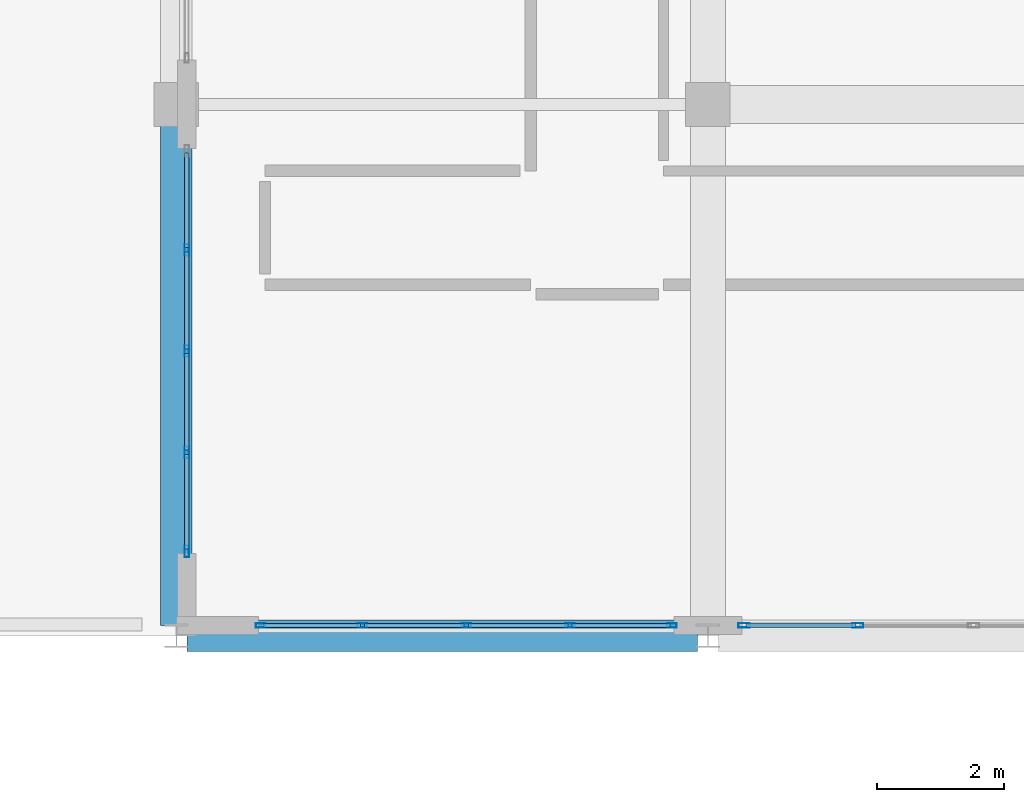
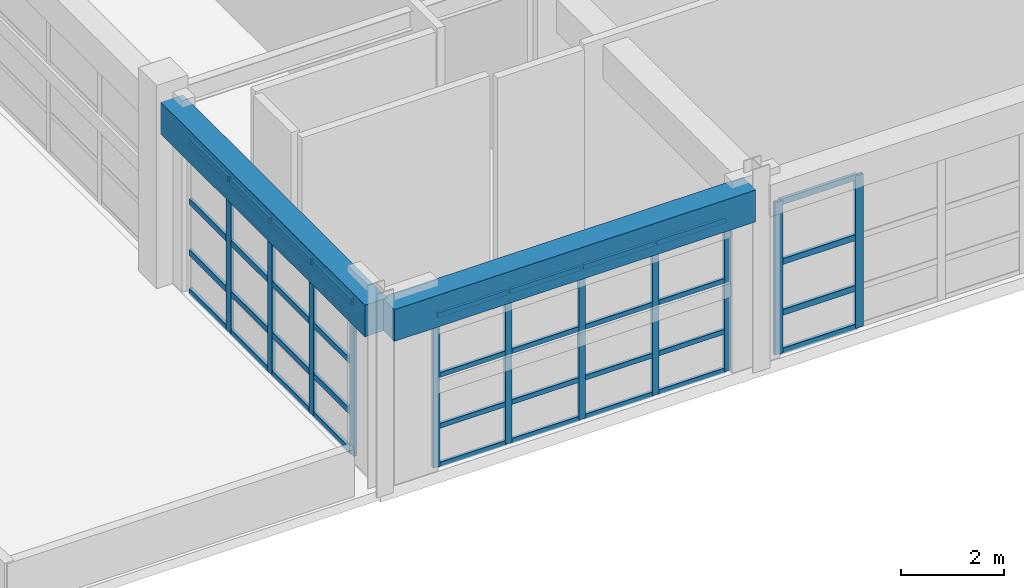
# One storey, part 31 of 123: 47 members, 2 beams, 3 elements without a shape of their own.
"""IFC4 building model written with IfcOpenShell, lengths in metres."""

from ifc_helpers import new_model, si_unit, direction, frame, origin, origin_2d, place, context, subcontext, project, spatial, rectangle, hollow_rectangle, extrude, material, layer, layer_set, material_profile, profile_set, type_object, element, aggregate, save


model = new_model("IFC4")

# Units and contexts
model_context = context("Model", 3, precision=1e-05, world=origin(), true_north=direction((0.0, 1.0)))
body_context = subcontext(model_context, "Body", "Model", "MODEL_VIEW")
ifc_project = project(units=[si_unit("LENGTHUNIT", "METRE"), si_unit("AREAUNIT", "SQUARE_METRE"), si_unit("VOLUMEUNIT", "CUBIC_METRE"), si_unit("PLANEANGLEUNIT", "RADIAN"), si_unit("MASSUNIT", "GRAM", prefix="KILO")], contexts=[model_context])

# Site, building, storey
site_placement = place(None, origin())
site = spatial("IfcSite", under=ifc_project, at=site_placement, CompositionType="ELEMENT")
building_placement = place(site_placement, origin())
building = spatial("IfcBuilding", under=site, at=building_placement, Name="Quendrovan Civic Courthouse", CompositionType="ELEMENT")
storey_placement = place(building_placement, frame((0.0, 0.0, 5.39990234375)))
storey = spatial("IfcBuildingStorey", under=building, at=storey_placement, Name="L02", CompositionType="ELEMENT", Elevation=5.39990234375)

# Beams
ifc_material_1 = material(Name="Concrete C40/50", Category="concrete")
ifc_material_profile_1 = material_profile(ifc_material_1, rectangle(XDim=0.5, YDim=0.75, at=origin_2d()), Name="RC-BM-500x750")
ifc_profile_set_1 = profile_set([ifc_material_profile_1], Name="Concrete C40/50")
beam_type = type_object("IfcBeamType", Name="BM-RC750", PredefinedType="SPANDREL", material=ifc_profile_set_1)
beam_1_placement = place(storey_placement, frame((33.76708984375, 64.800048828125, 3.985107421875), z_axis=(1.0, 0.0, 0.0), x_axis=(0.0, 1.0, 0.0)))
element("IfcBeam", 1, at=beam_1_placement, inside=storey, type_object=beam_type, Name="L02 Girder X0530", PredefinedType="SPANDREL", context=body_context, shape_type="SweptSolid", body=[
    extrude(rectangle(XDim=0.5, YDim=0.75, at=origin_2d()), origin(), (0.0, 0.0, 1.0), 8.06591796875),
])
beam_2_placement = place(storey_placement, frame((33.60009765625, 64.966064453125, 3.985107421875), z_axis=(0.0, 1.0, 0.0), x_axis=(-1.0, 0.0, 0.0)))
element("IfcBeam", 2, at=beam_2_placement, inside=storey, type_object=beam_type, Name="L02 Girder Y0637", PredefinedType="SPANDREL", context=body_context, shape_type="SweptSolid", body=[
    extrude(rectangle(XDim=0.5, YDim=0.75, at=origin_2d()), origin(), (0.0, 0.0, 1.0), 7.904052734375),
])

# Curtain wall, members
ifc_material_2 = material(Name="Bronze anodised aluminium and low-E glass", Category="aluminium")
ifc_layer_1 = layer(ifc_material_2, 0.179931640625, Name="Bronze anodised aluminium and low-E glass")
ifc_layer_set_1 = layer_set([ifc_layer_1], Name="Bronze anodised aluminium and low-E glass")
curtain_wall_type_1 = type_object("IfcCurtainWallType", Name="CW-U73x36", PredefinedType="USERDEFINED", material=ifc_layer_set_1)
curtain_wall_1_placement = place(storey_placement, origin())
curtain_wall_1 = element("IfcCurtainWall", 3, at=curtain_wall_1_placement, inside=storey, type_object=curtain_wall_type_1, Name="L02 Unitised Hurricane Curtain Wall CW-112", ObjectType="UNITISED CURTAIN WALL", PredefinedType="USERDEFINED")
ifc_material_3 = material(Name="Bronze anodised aluminium", Category="aluminium")
ifc_material_profile_2 = material_profile(ifc_material_3, hollow_rectangle(XDim=0.070068359375, YDim=0.179931640625, WallThickness=0.00390625, at=origin_2d()), Name="CW-MULL-70x180")
ifc_profile_set_2 = profile_set([ifc_material_profile_2], Name="Bronze anodised aluminium")
member_type_1 = type_object("IfcMemberType", Name="CW-MULL-A", PredefinedType="MULLION", material=ifc_profile_set_2)
member_1_placement = place(storey_placement, frame((44.368408203125, 64.965087890625, 0.0), z_axis=(0.0, 0.0, 1.0), x_axis=(0.0, -1.0, 0.0)))
member_1 = element("IfcMember", 4, at=member_1_placement, type_object=member_type_1, Name="CW-112 mullion 4", PredefinedType="MULLION", context=body_context, shape_type="SweptSolid", body=[
    extrude(hollow_rectangle(XDim=0.070068359375, YDim=0.179931640625, WallThickness=0.00390625, at=origin_2d()), origin(), (0.0, 0.0, 1.0), 3.60009765625),
])
member_2_placement = place(storey_placement, frame((42.572021484375, 64.965087890625, 0.0), z_axis=(0.0, 0.0, 1.0), x_axis=(0.0, -1.0, 0.0)))
member_2 = element("IfcMember", 5, at=member_2_placement, type_object=member_type_1, Name="CW-112 mullion 5", PredefinedType="MULLION", context=body_context, shape_type="SweptSolid", body=[
    extrude(hollow_rectangle(XDim=0.070068359375, YDim=0.179931640625, WallThickness=0.00390625, at=origin_2d()), origin(), (0.0, 0.0, 1.0), 3.60009765625),
])

ifc_layer_2 = layer(ifc_material_2, 0.179931640625, Name="Bronze anodised aluminium and low-E glass")
ifc_layer_set_2 = layer_set([ifc_layer_2], Name="Bronze anodised aluminium and low-E glass")
curtain_wall_type_2 = type_object("IfcCurtainWallType", Name="CW-U64x36", PredefinedType="USERDEFINED", material=ifc_layer_set_2)
curtain_wall_2_placement = place(storey_placement, origin())
curtain_wall_2 = element("IfcCurtainWall", 6, at=curtain_wall_2_placement, inside=storey, type_object=curtain_wall_type_2, Name="L02 Unitised Hurricane Curtain Wall CW-114", ObjectType="UNITISED CURTAIN WALL", PredefinedType="USERDEFINED")
member_3_placement = place(storey_placement, frame((33.764892578125, 66.135009765625, 0.0), z_axis=(0.0, 0.0, 1.0), x_axis=(-1.0, 0.0, 0.0)))
member_3 = element("IfcMember", 7, at=member_3_placement, type_object=member_type_1, Name="CW-114 mullion 1", PredefinedType="MULLION", context=body_context, shape_type="SweptSolid", body=[
    extrude(hollow_rectangle(XDim=0.070068359375, YDim=0.179931640625, WallThickness=0.00390625, at=origin_2d()), origin(), (0.0, 0.0, 1.0), 3.60009765625),
])
member_4_placement = place(storey_placement, frame((33.764892578125, 67.699951171875, 0.0), z_axis=(0.0, 0.0, 1.0), x_axis=(-1.0, 0.0, 0.0)))
member_4 = element("IfcMember", 8, at=member_4_placement, type_object=member_type_1, Name="CW-114 mullion 2", PredefinedType="MULLION", context=body_context, shape_type="SweptSolid", body=[
    extrude(hollow_rectangle(XDim=0.070068359375, YDim=0.179931640625, WallThickness=0.00390625, at=origin_2d()), origin(), (0.0, 0.0, 1.0), 3.60009765625),
])
member_5_placement = place(storey_placement, frame((33.764892578125, 69.300048828125, 0.0), z_axis=(0.0, 0.0, 1.0), x_axis=(-1.0, 0.0, 0.0)))
member_5 = element("IfcMember", 9, at=member_5_placement, type_object=member_type_1, Name="CW-114 mullion 3", PredefinedType="MULLION", context=body_context, shape_type="SweptSolid", body=[
    extrude(hollow_rectangle(XDim=0.070068359375, YDim=0.179931640625, WallThickness=0.00390625, at=origin_2d()), origin(), (0.0, 0.0, 1.0), 3.60009765625),
])
member_6_placement = place(storey_placement, frame((33.764892578125, 70.89990234375, 0.0), z_axis=(0.0, 0.0, 1.0), x_axis=(-1.0, 0.0, 0.0)))
member_6 = element("IfcMember", 10, at=member_6_placement, type_object=member_type_1, Name="CW-114 mullion 4", PredefinedType="MULLION", context=body_context, shape_type="SweptSolid", body=[
    extrude(hollow_rectangle(XDim=0.070068359375, YDim=0.179931640625, WallThickness=0.00390625, at=origin_2d()), origin(), (0.0, 0.0, 1.0), 3.60009765625),
])

ifc_layer_3 = layer(ifc_material_2, 0.179931640625, Name="Bronze anodised aluminium and low-E glass")
ifc_layer_set_3 = layer_set([ifc_layer_3], Name="Bronze anodised aluminium and low-E glass")
curtain_wall_type_3 = type_object("IfcCurtainWallType", Name="CW-U66x36", PredefinedType="USERDEFINED", material=ifc_layer_set_3)
curtain_wall_3_placement = place(storey_placement, origin())
curtain_wall_3 = element("IfcCurtainWall", 11, at=curtain_wall_3_placement, inside=storey, type_object=curtain_wall_type_3, Name="L02 Unitised Hurricane Curtain Wall CW-113", ObjectType="UNITISED CURTAIN WALL", PredefinedType="USERDEFINED")
ifc_material_profile_3 = material_profile(ifc_material_3, hollow_rectangle(XDim=0.06494140625, YDim=0.14990234375, WallThickness=0.00390625, at=origin_2d()), Name="CW-MULL-65x150")
ifc_profile_set_3 = profile_set([ifc_material_profile_3], Name="Bronze anodised aluminium")
member_type_2 = type_object("IfcMemberType", Name="CW-MULL-B", PredefinedType="MULLION", material=ifc_profile_set_3)
member_7_placement = place(storey_placement, frame((41.430419921875, 64.965087890625, 0.0), z_axis=(0.0, 0.0, 1.0), x_axis=(0.0, -1.0, 0.0)))
member_7 = element("IfcMember", 12, at=member_7_placement, type_object=member_type_2, Name="CW-113 mullion 1", PredefinedType="MULLION", context=body_context, shape_type="SweptSolid", body=[
    extrude(hollow_rectangle(XDim=0.06494140625, YDim=0.14990234375, WallThickness=0.00390625, at=origin_2d()), origin(), (0.0, 0.0, 1.0), 3.60009765625),
])
member_8_placement = place(storey_placement, frame((39.822265625, 64.965087890625, 0.0), z_axis=(0.0, 0.0, 1.0), x_axis=(0.0, -1.0, 0.0)))
member_8 = element("IfcMember", 13, at=member_8_placement, type_object=member_type_2, Name="CW-113 mullion 2", PredefinedType="MULLION", context=body_context, shape_type="SweptSolid", body=[
    extrude(hollow_rectangle(XDim=0.06494140625, YDim=0.14990234375, WallThickness=0.00390625, at=origin_2d()), origin(), (0.0, 0.0, 1.0), 3.60009765625),
])
member_9_placement = place(storey_placement, frame((38.181396484375, 64.965087890625, 0.0), z_axis=(0.0, 0.0, 1.0), x_axis=(0.0, -1.0, 0.0)))
member_9 = element("IfcMember", 14, at=member_9_placement, type_object=member_type_2, Name="CW-113 mullion 3", PredefinedType="MULLION", context=body_context, shape_type="SweptSolid", body=[
    extrude(hollow_rectangle(XDim=0.06494140625, YDim=0.14990234375, WallThickness=0.00390625, at=origin_2d()), origin(), (0.0, 0.0, 1.0), 3.60009765625),
])
member_10_placement = place(storey_placement, frame((36.540771484375, 64.965087890625, 0.0), z_axis=(0.0, 0.0, 1.0), x_axis=(0.0, -1.0, 0.0)))
member_10 = element("IfcMember", 15, at=member_10_placement, type_object=member_type_2, Name="CW-113 mullion 4", PredefinedType="MULLION", context=body_context, shape_type="SweptSolid", body=[
    extrude(hollow_rectangle(XDim=0.06494140625, YDim=0.14990234375, WallThickness=0.00390625, at=origin_2d()), origin(), (0.0, 0.0, 1.0), 3.60009765625),
])
member_11_placement = place(storey_placement, frame((34.9326171875, 64.965087890625, 0.0), z_axis=(0.0, 0.0, 1.0), x_axis=(0.0, -1.0, 0.0)))
member_11 = element("IfcMember", 16, at=member_11_placement, type_object=member_type_2, Name="CW-113 mullion 5", PredefinedType="MULLION", context=body_context, shape_type="SweptSolid", body=[
    extrude(hollow_rectangle(XDim=0.06494140625, YDim=0.14990234375, WallThickness=0.00390625, at=origin_2d()), origin(), (0.0, 0.0, 1.0), 3.60009765625),
])

# Member
ifc_material_profile_4 = material_profile(ifc_material_3, hollow_rectangle(XDim=0.070068359375, YDim=0.139892578125, WallThickness=0.00390625, at=origin_2d()), Name="CW-TRAN-70x140")
ifc_profile_set_4 = profile_set([ifc_material_profile_4], Name="Bronze anodised aluminium")
member_type_3 = type_object("IfcMemberType", Name="CW-TRAN-A", PredefinedType="USERDEFINED", material=ifc_profile_set_4)
member_12_placement = place(storey_placement, frame((44.33349609375, 64.965087890625, 0.03515625), z_axis=(-1.0, 0.0, 0.0), x_axis=(0.0, -1.0, 0.0)))
member_12 = element("IfcMember", 17, at=member_12_placement, type_object=member_type_3, Name="CW-112 transom 4.1", ObjectType="TRANSOM", PredefinedType="USERDEFINED", context=body_context, shape_type="SweptSolid", body=[
    extrude(hollow_rectangle(XDim=0.070068359375, YDim=0.139892578125, WallThickness=0.00390625, at=origin_2d()), origin(), (0.0, 0.0, 1.0), 1.7265625),
])

member_13_placement = place(storey_placement, frame((44.33349609375, 64.965087890625, 0.9501953125), z_axis=(-1.0, 0.0, 0.0), x_axis=(0.0, -1.0, 0.0)))
member_13 = element("IfcMember", 18, at=member_13_placement, type_object=member_type_3, Name="CW-112 transom 4.2", ObjectType="TRANSOM", PredefinedType="USERDEFINED", context=body_context, shape_type="SweptSolid", body=[
    extrude(hollow_rectangle(XDim=0.070068359375, YDim=0.139892578125, WallThickness=0.00390625, at=origin_2d()), origin(), (0.0, 0.0, 1.0), 1.7265625),
])

member_14_placement = place(storey_placement, frame((44.33349609375, 64.965087890625, 2.150146484375), z_axis=(-1.0, 0.0, 0.0), x_axis=(0.0, -1.0, 0.0)))
member_14 = element("IfcMember", 19, at=member_14_placement, type_object=member_type_3, Name="CW-112 transom 4.3", ObjectType="TRANSOM", PredefinedType="USERDEFINED", context=body_context, shape_type="SweptSolid", body=[
    extrude(hollow_rectangle(XDim=0.070068359375, YDim=0.139892578125, WallThickness=0.00390625, at=origin_2d()), origin(), (0.0, 0.0, 1.0), 1.7265625),
])

member_15_placement = place(storey_placement, frame((44.33349609375, 64.965087890625, 3.565185546875), z_axis=(-1.0, 0.0, 0.0), x_axis=(0.0, -1.0, 0.0)))
member_15 = element("IfcMember", 20, at=member_15_placement, type_object=member_type_3, Name="CW-112 transom 4.4", ObjectType="TRANSOM", PredefinedType="USERDEFINED", context=body_context, shape_type="SweptSolid", body=[
    extrude(hollow_rectangle(XDim=0.070068359375, YDim=0.139892578125, WallThickness=0.00390625, at=origin_2d()), origin(), (0.0, 0.0, 1.0), 1.7265625),
])

aggregate(curtain_wall_1, [member_1, member_2, member_12, member_13, member_14, member_15])

member_16_placement = place(storey_placement, frame((33.764892578125, 66.169921875, 0.03515625), z_axis=(0.0, 1.0, 0.0), x_axis=(-1.0, 0.0, 0.0)))
member_16 = element("IfcMember", 21, at=member_16_placement, type_object=member_type_3, Name="CW-114 transom 1.1", ObjectType="TRANSOM", PredefinedType="USERDEFINED", context=body_context, shape_type="SweptSolid", body=[
    extrude(hollow_rectangle(XDim=0.070068359375, YDim=0.139892578125, WallThickness=0.00390625, at=origin_2d()), origin(), (0.0, 0.0, 1.0), 1.4951171875),
])

member_17_placement = place(storey_placement, frame((33.764892578125, 66.169921875, 0.9501953125), z_axis=(0.0, 1.0, 0.0), x_axis=(-1.0, 0.0, 0.0)))
member_17 = element("IfcMember", 22, at=member_17_placement, type_object=member_type_3, Name="CW-114 transom 1.2", ObjectType="TRANSOM", PredefinedType="USERDEFINED", context=body_context, shape_type="SweptSolid", body=[
    extrude(hollow_rectangle(XDim=0.070068359375, YDim=0.139892578125, WallThickness=0.00390625, at=origin_2d()), origin(), (0.0, 0.0, 1.0), 1.4951171875),
])

member_18_placement = place(storey_placement, frame((33.764892578125, 66.169921875, 2.150146484375), z_axis=(0.0, 1.0, 0.0), x_axis=(-1.0, 0.0, 0.0)))
member_18 = element("IfcMember", 23, at=member_18_placement, type_object=member_type_3, Name="CW-114 transom 1.3", ObjectType="TRANSOM", PredefinedType="USERDEFINED", context=body_context, shape_type="SweptSolid", body=[
    extrude(hollow_rectangle(XDim=0.070068359375, YDim=0.139892578125, WallThickness=0.00390625, at=origin_2d()), origin(), (0.0, 0.0, 1.0), 1.4951171875),
])

member_19_placement = place(storey_placement, frame((33.764892578125, 66.169921875, 3.565185546875), z_axis=(0.0, 1.0, 0.0), x_axis=(-1.0, 0.0, 0.0)))
member_19 = element("IfcMember", 24, at=member_19_placement, type_object=member_type_3, Name="CW-114 transom 1.4", ObjectType="TRANSOM", PredefinedType="USERDEFINED", context=body_context, shape_type="SweptSolid", body=[
    extrude(hollow_rectangle(XDim=0.070068359375, YDim=0.139892578125, WallThickness=0.00390625, at=origin_2d()), origin(), (0.0, 0.0, 1.0), 1.4951171875),
])

member_20_placement = place(storey_placement, frame((33.764892578125, 67.735107421875, 0.03515625), z_axis=(0.0, 1.0, 0.0), x_axis=(-1.0, 0.0, 0.0)))
member_20 = element("IfcMember", 25, at=member_20_placement, type_object=member_type_3, Name="CW-114 transom 2.1", ObjectType="TRANSOM", PredefinedType="USERDEFINED", context=body_context, shape_type="SweptSolid", body=[
    extrude(hollow_rectangle(XDim=0.070068359375, YDim=0.139892578125, WallThickness=0.00390625, at=origin_2d()), origin(), (0.0, 0.0, 1.0), 1.52978515625),
])

member_21_placement = place(storey_placement, frame((33.764892578125, 67.735107421875, 0.9501953125), z_axis=(0.0, 1.0, 0.0), x_axis=(-1.0, 0.0, 0.0)))
member_21 = element("IfcMember", 26, at=member_21_placement, type_object=member_type_3, Name="CW-114 transom 2.2", ObjectType="TRANSOM", PredefinedType="USERDEFINED", context=body_context, shape_type="SweptSolid", body=[
    extrude(hollow_rectangle(XDim=0.070068359375, YDim=0.139892578125, WallThickness=0.00390625, at=origin_2d()), origin(), (0.0, 0.0, 1.0), 1.52978515625),
])

member_22_placement = place(storey_placement, frame((33.764892578125, 67.735107421875, 2.150146484375), z_axis=(0.0, 1.0, 0.0), x_axis=(-1.0, 0.0, 0.0)))
member_22 = element("IfcMember", 27, at=member_22_placement, type_object=member_type_3, Name="CW-114 transom 2.3", ObjectType="TRANSOM", PredefinedType="USERDEFINED", context=body_context, shape_type="SweptSolid", body=[
    extrude(hollow_rectangle(XDim=0.070068359375, YDim=0.139892578125, WallThickness=0.00390625, at=origin_2d()), origin(), (0.0, 0.0, 1.0), 1.52978515625),
])

member_23_placement = place(storey_placement, frame((33.764892578125, 67.735107421875, 3.565185546875), z_axis=(0.0, 1.0, 0.0), x_axis=(-1.0, 0.0, 0.0)))
member_23 = element("IfcMember", 28, at=member_23_placement, type_object=member_type_3, Name="CW-114 transom 2.4", ObjectType="TRANSOM", PredefinedType="USERDEFINED", context=body_context, shape_type="SweptSolid", body=[
    extrude(hollow_rectangle(XDim=0.070068359375, YDim=0.139892578125, WallThickness=0.00390625, at=origin_2d()), origin(), (0.0, 0.0, 1.0), 1.52978515625),
])

member_24_placement = place(storey_placement, frame((33.764892578125, 69.3349609375, 0.03515625), z_axis=(0.0, 1.0, 0.0), x_axis=(-1.0, 0.0, 0.0)))
member_24 = element("IfcMember", 29, at=member_24_placement, type_object=member_type_3, Name="CW-114 transom 3.1", ObjectType="TRANSOM", PredefinedType="USERDEFINED", context=body_context, shape_type="SweptSolid", body=[
    extrude(hollow_rectangle(XDim=0.070068359375, YDim=0.139892578125, WallThickness=0.00390625, at=origin_2d()), origin(), (0.0, 0.0, 1.0), 1.530029296875),
])

member_25_placement = place(storey_placement, frame((33.764892578125, 69.3349609375, 0.9501953125), z_axis=(0.0, 1.0, 0.0), x_axis=(-1.0, 0.0, 0.0)))
member_25 = element("IfcMember", 30, at=member_25_placement, type_object=member_type_3, Name="CW-114 transom 3.2", ObjectType="TRANSOM", PredefinedType="USERDEFINED", context=body_context, shape_type="SweptSolid", body=[
    extrude(hollow_rectangle(XDim=0.070068359375, YDim=0.139892578125, WallThickness=0.00390625, at=origin_2d()), origin(), (0.0, 0.0, 1.0), 1.530029296875),
])

member_26_placement = place(storey_placement, frame((33.764892578125, 69.3349609375, 2.150146484375), z_axis=(0.0, 1.0, 0.0), x_axis=(-1.0, 0.0, 0.0)))
member_26 = element("IfcMember", 31, at=member_26_placement, type_object=member_type_3, Name="CW-114 transom 3.3", ObjectType="TRANSOM", PredefinedType="USERDEFINED", context=body_context, shape_type="SweptSolid", body=[
    extrude(hollow_rectangle(XDim=0.070068359375, YDim=0.139892578125, WallThickness=0.00390625, at=origin_2d()), origin(), (0.0, 0.0, 1.0), 1.530029296875),
])

member_27_placement = place(storey_placement, frame((33.764892578125, 69.3349609375, 3.565185546875), z_axis=(0.0, 1.0, 0.0), x_axis=(-1.0, 0.0, 0.0)))
member_27 = element("IfcMember", 32, at=member_27_placement, type_object=member_type_3, Name="CW-114 transom 3.4", ObjectType="TRANSOM", PredefinedType="USERDEFINED", context=body_context, shape_type="SweptSolid", body=[
    extrude(hollow_rectangle(XDim=0.070068359375, YDim=0.139892578125, WallThickness=0.00390625, at=origin_2d()), origin(), (0.0, 0.0, 1.0), 1.530029296875),
])

member_28_placement = place(storey_placement, frame((33.764892578125, 70.93505859375, 0.03515625), z_axis=(0.0, 1.0, 0.0), x_axis=(-1.0, 0.0, 0.0)))
member_28 = element("IfcMember", 33, at=member_28_placement, type_object=member_type_3, Name="CW-114 transom 4.1", ObjectType="TRANSOM", PredefinedType="USERDEFINED", context=body_context, shape_type="SweptSolid", body=[
    extrude(hollow_rectangle(XDim=0.070068359375, YDim=0.139892578125, WallThickness=0.00390625, at=origin_2d()), origin(), (0.0, 0.0, 1.0), 1.494873046875),
])

member_29_placement = place(storey_placement, frame((33.764892578125, 70.93505859375, 0.9501953125), z_axis=(0.0, 1.0, 0.0), x_axis=(-1.0, 0.0, 0.0)))
member_29 = element("IfcMember", 34, at=member_29_placement, type_object=member_type_3, Name="CW-114 transom 4.2", ObjectType="TRANSOM", PredefinedType="USERDEFINED", context=body_context, shape_type="SweptSolid", body=[
    extrude(hollow_rectangle(XDim=0.070068359375, YDim=0.139892578125, WallThickness=0.00390625, at=origin_2d()), origin(), (0.0, 0.0, 1.0), 1.494873046875),
])

member_30_placement = place(storey_placement, frame((33.764892578125, 70.93505859375, 2.150146484375), z_axis=(0.0, 1.0, 0.0), x_axis=(-1.0, 0.0, 0.0)))
member_30 = element("IfcMember", 35, at=member_30_placement, type_object=member_type_3, Name="CW-114 transom 4.3", ObjectType="TRANSOM", PredefinedType="USERDEFINED", context=body_context, shape_type="SweptSolid", body=[
    extrude(hollow_rectangle(XDim=0.070068359375, YDim=0.139892578125, WallThickness=0.00390625, at=origin_2d()), origin(), (0.0, 0.0, 1.0), 1.494873046875),
])

member_31_placement = place(storey_placement, frame((33.764892578125, 70.93505859375, 3.565185546875), z_axis=(0.0, 1.0, 0.0), x_axis=(-1.0, 0.0, 0.0)))
member_31 = element("IfcMember", 36, at=member_31_placement, type_object=member_type_3, Name="CW-114 transom 4.4", ObjectType="TRANSOM", PredefinedType="USERDEFINED", context=body_context, shape_type="SweptSolid", body=[
    extrude(hollow_rectangle(XDim=0.070068359375, YDim=0.139892578125, WallThickness=0.00390625, at=origin_2d()), origin(), (0.0, 0.0, 1.0), 1.494873046875),
])

aggregate(curtain_wall_2, [member_3, member_4, member_5, member_6, member_16, member_17, member_18, member_19, member_20, member_21, member_22, member_23, member_24, member_25, member_26, member_27, member_28, member_29, member_30, member_31])

ifc_material_profile_5 = material_profile(ifc_material_3, hollow_rectangle(XDim=0.06494140625, YDim=0.114990234375, WallThickness=0.00390625, at=origin_2d()), Name="CW-TRAN-65x115")
ifc_profile_set_5 = profile_set([ifc_material_profile_5], Name="Bronze anodised aluminium")
member_type_4 = type_object("IfcMemberType", Name="CW-TRAN-B", PredefinedType="USERDEFINED", material=ifc_profile_set_5)
member_32_placement = place(storey_placement, frame((41.39794921875, 64.965087890625, 0.03271484375), z_axis=(-1.0, 0.0, 0.0), x_axis=(0.0, -1.0, 0.0)))
member_32 = element("IfcMember", 37, at=member_32_placement, type_object=member_type_4, Name="CW-113 transom 1.1", ObjectType="TRANSOM", PredefinedType="USERDEFINED", context=body_context, shape_type="SweptSolid", body=[
    extrude(hollow_rectangle(XDim=0.06494140625, YDim=0.114990234375, WallThickness=0.00390625, at=origin_2d()), origin(), (0.0, 0.0, 1.0), 1.543212890625),
])

member_33_placement = place(storey_placement, frame((41.39794921875, 64.965087890625, 0.9501953125), z_axis=(-1.0, 0.0, 0.0), x_axis=(0.0, -1.0, 0.0)))
member_33 = element("IfcMember", 38, at=member_33_placement, type_object=member_type_4, Name="CW-113 transom 1.2", ObjectType="TRANSOM", PredefinedType="USERDEFINED", context=body_context, shape_type="SweptSolid", body=[
    extrude(hollow_rectangle(XDim=0.06494140625, YDim=0.114990234375, WallThickness=0.00390625, at=origin_2d()), origin(), (0.0, 0.0, 1.0), 1.543212890625),
])

member_34_placement = place(storey_placement, frame((41.39794921875, 64.965087890625, 2.150146484375), z_axis=(-1.0, 0.0, 0.0), x_axis=(0.0, -1.0, 0.0)))
member_34 = element("IfcMember", 39, at=member_34_placement, type_object=member_type_4, Name="CW-113 transom 1.3", ObjectType="TRANSOM", PredefinedType="USERDEFINED", context=body_context, shape_type="SweptSolid", body=[
    extrude(hollow_rectangle(XDim=0.06494140625, YDim=0.114990234375, WallThickness=0.00390625, at=origin_2d()), origin(), (0.0, 0.0, 1.0), 1.543212890625),
])

member_35_placement = place(storey_placement, frame((41.39794921875, 64.965087890625, 3.567626953125), z_axis=(-1.0, 0.0, 0.0), x_axis=(0.0, -1.0, 0.0)))
member_35 = element("IfcMember", 40, at=member_35_placement, type_object=member_type_4, Name="CW-113 transom 1.4", ObjectType="TRANSOM", PredefinedType="USERDEFINED", context=body_context, shape_type="SweptSolid", body=[
    extrude(hollow_rectangle(XDim=0.06494140625, YDim=0.114990234375, WallThickness=0.00390625, at=origin_2d()), origin(), (0.0, 0.0, 1.0), 1.543212890625),
])

member_36_placement = place(storey_placement, frame((39.789794921875, 64.965087890625, 0.03271484375), z_axis=(-1.0, 0.0, 0.0), x_axis=(0.0, -1.0, 0.0)))
member_36 = element("IfcMember", 41, at=member_36_placement, type_object=member_type_4, Name="CW-113 transom 2.1", ObjectType="TRANSOM", PredefinedType="USERDEFINED", context=body_context, shape_type="SweptSolid", body=[
    extrude(hollow_rectangle(XDim=0.06494140625, YDim=0.114990234375, WallThickness=0.00390625, at=origin_2d()), origin(), (0.0, 0.0, 1.0), 1.57568359375),
])

member_37_placement = place(storey_placement, frame((39.789794921875, 64.965087890625, 0.9501953125), z_axis=(-1.0, 0.0, 0.0), x_axis=(0.0, -1.0, 0.0)))
member_37 = element("IfcMember", 42, at=member_37_placement, type_object=member_type_4, Name="CW-113 transom 2.2", ObjectType="TRANSOM", PredefinedType="USERDEFINED", context=body_context, shape_type="SweptSolid", body=[
    extrude(hollow_rectangle(XDim=0.06494140625, YDim=0.114990234375, WallThickness=0.00390625, at=origin_2d()), origin(), (0.0, 0.0, 1.0), 1.57568359375),
])

member_38_placement = place(storey_placement, frame((39.789794921875, 64.965087890625, 2.150146484375), z_axis=(-1.0, 0.0, 0.0), x_axis=(0.0, -1.0, 0.0)))
member_38 = element("IfcMember", 43, at=member_38_placement, type_object=member_type_4, Name="CW-113 transom 2.3", ObjectType="TRANSOM", PredefinedType="USERDEFINED", context=body_context, shape_type="SweptSolid", body=[
    extrude(hollow_rectangle(XDim=0.06494140625, YDim=0.114990234375, WallThickness=0.00390625, at=origin_2d()), origin(), (0.0, 0.0, 1.0), 1.57568359375),
])

member_39_placement = place(storey_placement, frame((39.789794921875, 64.965087890625, 3.567626953125), z_axis=(-1.0, 0.0, 0.0), x_axis=(0.0, -1.0, 0.0)))
member_39 = element("IfcMember", 44, at=member_39_placement, type_object=member_type_4, Name="CW-113 transom 2.4", ObjectType="TRANSOM", PredefinedType="USERDEFINED", context=body_context, shape_type="SweptSolid", body=[
    extrude(hollow_rectangle(XDim=0.06494140625, YDim=0.114990234375, WallThickness=0.00390625, at=origin_2d()), origin(), (0.0, 0.0, 1.0), 1.57568359375),
])

member_40_placement = place(storey_placement, frame((38.14892578125, 64.965087890625, 0.03271484375), z_axis=(-1.0, 0.0, 0.0), x_axis=(0.0, -1.0, 0.0)))
member_40 = element("IfcMember", 45, at=member_40_placement, type_object=member_type_4, Name="CW-113 transom 3.1", ObjectType="TRANSOM", PredefinedType="USERDEFINED", context=body_context, shape_type="SweptSolid", body=[
    extrude(hollow_rectangle(XDim=0.06494140625, YDim=0.114990234375, WallThickness=0.00390625, at=origin_2d()), origin(), (0.0, 0.0, 1.0), 1.57568359375),
])

member_41_placement = place(storey_placement, frame((38.14892578125, 64.965087890625, 0.9501953125), z_axis=(-1.0, 0.0, 0.0), x_axis=(0.0, -1.0, 0.0)))
member_41 = element("IfcMember", 46, at=member_41_placement, type_object=member_type_4, Name="CW-113 transom 3.2", ObjectType="TRANSOM", PredefinedType="USERDEFINED", context=body_context, shape_type="SweptSolid", body=[
    extrude(hollow_rectangle(XDim=0.06494140625, YDim=0.114990234375, WallThickness=0.00390625, at=origin_2d()), origin(), (0.0, 0.0, 1.0), 1.57568359375),
])

member_42_placement = place(storey_placement, frame((38.14892578125, 64.965087890625, 2.150146484375), z_axis=(-1.0, 0.0, 0.0), x_axis=(0.0, -1.0, 0.0)))
member_42 = element("IfcMember", 47, at=member_42_placement, type_object=member_type_4, Name="CW-113 transom 3.3", ObjectType="TRANSOM", PredefinedType="USERDEFINED", context=body_context, shape_type="SweptSolid", body=[
    extrude(hollow_rectangle(XDim=0.06494140625, YDim=0.114990234375, WallThickness=0.00390625, at=origin_2d()), origin(), (0.0, 0.0, 1.0), 1.57568359375),
])

member_43_placement = place(storey_placement, frame((38.14892578125, 64.965087890625, 3.567626953125), z_axis=(-1.0, 0.0, 0.0), x_axis=(0.0, -1.0, 0.0)))
member_43 = element("IfcMember", 48, at=member_43_placement, type_object=member_type_4, Name="CW-113 transom 3.4", ObjectType="TRANSOM", PredefinedType="USERDEFINED", context=body_context, shape_type="SweptSolid", body=[
    extrude(hollow_rectangle(XDim=0.06494140625, YDim=0.114990234375, WallThickness=0.00390625, at=origin_2d()), origin(), (0.0, 0.0, 1.0), 1.57568359375),
])

member_44_placement = place(storey_placement, frame((36.50830078125, 64.965087890625, 0.03271484375), z_axis=(-1.0, 0.0, 0.0), x_axis=(0.0, -1.0, 0.0)))
member_44 = element("IfcMember", 49, at=member_44_placement, type_object=member_type_4, Name="CW-113 transom 4.1", ObjectType="TRANSOM", PredefinedType="USERDEFINED", context=body_context, shape_type="SweptSolid", body=[
    extrude(hollow_rectangle(XDim=0.06494140625, YDim=0.114990234375, WallThickness=0.00390625, at=origin_2d()), origin(), (0.0, 0.0, 1.0), 1.543212890625),
])

member_45_placement = place(storey_placement, frame((36.50830078125, 64.965087890625, 0.9501953125), z_axis=(-1.0, 0.0, 0.0), x_axis=(0.0, -1.0, 0.0)))
member_45 = element("IfcMember", 50, at=member_45_placement, type_object=member_type_4, Name="CW-113 transom 4.2", ObjectType="TRANSOM", PredefinedType="USERDEFINED", context=body_context, shape_type="SweptSolid", body=[
    extrude(hollow_rectangle(XDim=0.06494140625, YDim=0.114990234375, WallThickness=0.00390625, at=origin_2d()), origin(), (0.0, 0.0, 1.0), 1.543212890625),
])

member_46_placement = place(storey_placement, frame((36.50830078125, 64.965087890625, 2.150146484375), z_axis=(-1.0, 0.0, 0.0), x_axis=(0.0, -1.0, 0.0)))
member_46 = element("IfcMember", 51, at=member_46_placement, type_object=member_type_4, Name="CW-113 transom 4.3", ObjectType="TRANSOM", PredefinedType="USERDEFINED", context=body_context, shape_type="SweptSolid", body=[
    extrude(hollow_rectangle(XDim=0.06494140625, YDim=0.114990234375, WallThickness=0.00390625, at=origin_2d()), origin(), (0.0, 0.0, 1.0), 1.543212890625),
])

member_47_placement = place(storey_placement, frame((36.50830078125, 64.965087890625, 3.567626953125), z_axis=(-1.0, 0.0, 0.0), x_axis=(0.0, -1.0, 0.0)))
member_47 = element("IfcMember", 52, at=member_47_placement, type_object=member_type_4, Name="CW-113 transom 4.4", ObjectType="TRANSOM", PredefinedType="USERDEFINED", context=body_context, shape_type="SweptSolid", body=[
    extrude(hollow_rectangle(XDim=0.06494140625, YDim=0.114990234375, WallThickness=0.00390625, at=origin_2d()), origin(), (0.0, 0.0, 1.0), 1.543212890625),
])

aggregate(curtain_wall_3, [member_7, member_8, member_9, member_10, member_11, member_32, member_33, member_34, member_35, member_36, member_37, member_38, member_39, member_40, member_41, member_42, member_43, member_44, member_45, member_46, member_47])

save(model, "model.ifc")
